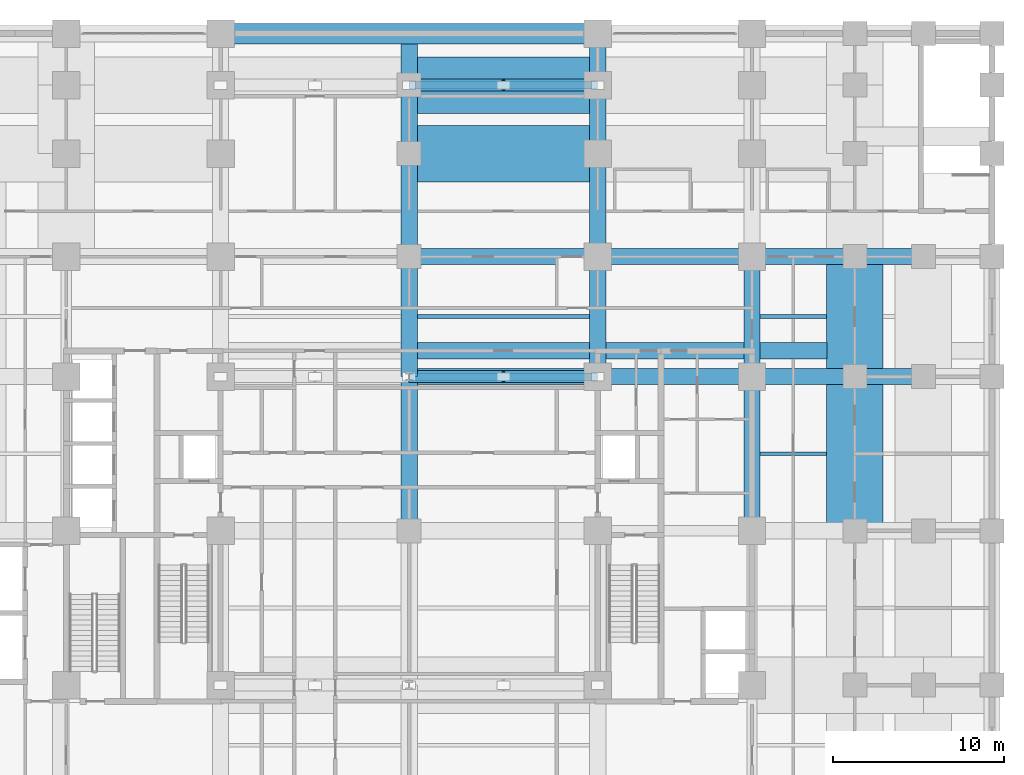
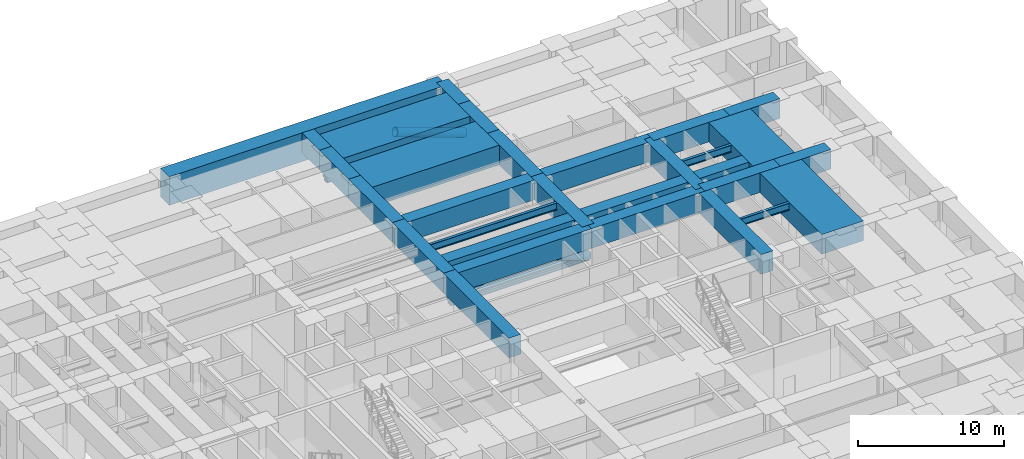
# One storey, part 4 of 22: 30 beams, 6 members.
"""IFC4 building model written with IfcOpenShell, lengths in metres."""

import ifcopenshell
import ifcopenshell.guid

model = None  # the IFC model being written
_history = None  # IfcOwnerHistory: only IFC2X3 demands one
_inside = {}  # id of a spatial element -> (the spatial element, [elements in it])
_under = {}  # id of a project, library or spatial element -> (it, [spatial elements below it])
_declared = {}  # id of a project -> (the project, [libraries it declares])
_typed = {}  # id of a type object -> (the type object, [elements of that type])
_made_of = {}  # id of a material, layer set ... -> (it, [elements and type objects made of it])


def new_model(schema):
    """Start an empty IFC model of exactly this schema.

    Asked for "IFC4X3", IfcOpenShell would pick the latest addendum, in which some entities
    have other attributes; the version numbers below select the first issue.
    IFC2X3 requires an IfcOwnerHistory on every rooted entity: one is made here for all.
    """
    global model, _history
    if schema == "IFC4X3":
        model = ifcopenshell.file(schema_version=(4, 3, 0, 0))
    else:
        model = ifcopenshell.file(schema=schema)
    _inside.clear()
    _under.clear()
    _declared.clear()
    _typed.clear()
    _made_of.clear()
    _history = None
    if model.schema == "IFC2X3":
        org = make("IfcOrganization", Name="unknown")
        user = make(
            "IfcPersonAndOrganization",
            ThePerson=make("IfcPerson", FamilyName="unknown"),
            TheOrganization=org,
        )
        app = make(
            "IfcApplication",
            ApplicationDeveloper=org,
            Version="unknown",
            ApplicationFullName="unknown",
            ApplicationIdentifier="unknown",
        )
        _history = make(
            "IfcOwnerHistory",
            OwningUser=user,
            OwningApplication=app,
            ChangeAction="ADDED",
            CreationDate=0,
        )
    return model


def make(cls, **values):
    """One entity of the class cls with the attributes given. An attribute that is None is left unset."""
    return model.create_entity(
        cls, **{name: value for name, value in values.items() if value is not None}
    )


def rooted(cls, **values):
    """An entity with a GlobalId (a new one), such as an element, a storey or a relation."""
    return make(cls, GlobalId=ifcopenshell.guid.new(), OwnerHistory=_history, **values)


def si_unit(unit_type, name, prefix=None):
    """IfcSIUnit, for example si_unit("LENGTHUNIT", "METRE", prefix="MILLI")."""
    return make("IfcSIUnit", UnitType=unit_type, Prefix=prefix, Name=name)


def assignment(units):
    """IfcUnitAssignment: the units of a project."""
    return None if units is None else make("IfcUnitAssignment", Units=units)


def point(xyz):
    """IfcCartesianPoint."""
    return None if xyz is None else make("IfcCartesianPoint", Coordinates=xyz)


def direction(xyz):
    """IfcDirection."""
    return None if xyz is None else make("IfcDirection", DirectionRatios=xyz)


def frame(location, z_axis=None, x_axis=None):
    """IfcAxis2Placement3D, a coordinate frame: its origin and axes. An axis left out is left unset."""
    return make(
        "IfcAxis2Placement3D",
        Location=point(location),
        Axis=direction(z_axis),
        RefDirection=direction(x_axis),
    )


def frame_2d(location, x_axis=None):
    """IfcAxis2Placement2D, a coordinate frame in the plane: its origin and x axis."""
    return make(
        "IfcAxis2Placement2D", Location=point(location), RefDirection=direction(x_axis)
    )


def origin():
    """The frame at (0, 0, 0) with its axes left unset."""
    return frame((0.0, 0.0, 0.0))


def origin_2d():
    """The frame at (0, 0) in the plane with its x axis left unset."""
    return frame_2d((0.0, 0.0))


def place(relative_to, where):
    """IfcLocalPlacement: puts the frame where relative to a parent placement (None: the world)."""
    return make(
        "IfcLocalPlacement", PlacementRelTo=relative_to, RelativePlacement=where
    )


def context(
    kind, dimensions, precision=None, world=None, true_north=None, identifier=None
):
    """IfcGeometricRepresentationContext, for example the 3D "Model" context."""
    return make(
        "IfcGeometricRepresentationContext",
        ContextIdentifier=identifier,
        ContextType=kind,
        CoordinateSpaceDimension=dimensions,
        Precision=precision,
        WorldCoordinateSystem=world,
        TrueNorth=true_north,
    )


def subcontext(parent, identifier, kind, view, scale=None):
    """IfcGeometricRepresentationSubContext, for example "Body" below "Model"."""
    return make(
        "IfcGeometricRepresentationSubContext",
        ContextIdentifier=identifier,
        ContextType=kind,
        ParentContext=parent,
        TargetScale=scale,
        TargetView=view,
    )


def project(units=None, contexts=None):
    """IfcProject with its units and contexts."""
    return rooted(
        "IfcProject",
        Name="project",
        RepresentationContexts=contexts,
        UnitsInContext=assignment(units),
    )


def spatial(cls, under=None, at=None, **own):
    """A site, building, storey or space (cls), placed at a placement, below another one or the project."""
    s = rooted(cls, ObjectPlacement=at, **own)
    if under is not None:
        _under.setdefault(under.id(), (under, []))[1].append(s)
    return s


def profile(cls, at=None, kind="AREA", **sizes):
    """A parametric profile (cls). Its sizes go by their IFC names, for example OverallWidth=200.0."""
    return make(cls, ProfileType=kind, Position=at, **sizes)


def rectangle(**sizes):
    """IfcRectangleProfileDef."""
    return profile("IfcRectangleProfileDef", **sizes)


def hollow_circle(**sizes):
    """IfcCircleHollowProfileDef."""
    return profile("IfcCircleHollowProfileDef", **sizes)


def i_section(**sizes):
    """IfcIShapeProfileDef."""
    return profile("IfcIShapeProfileDef", **sizes)


def extrude(swept, where, along, depth):
    """IfcExtrudedAreaSolid: the profile swept, set in the frame where, extruded along a direction by depth."""
    return make(
        "IfcExtrudedAreaSolid",
        SweptArea=swept,
        Position=where,
        ExtrudedDirection=direction(along),
        Depth=depth,
    )


def shape(context_of_items, identifier, shape_type, items):
    """IfcShapeRepresentation: the items that make up one representation, for example the "Body"."""
    return make(
        "IfcShapeRepresentation",
        ContextOfItems=context_of_items,
        RepresentationIdentifier=identifier,
        RepresentationType=shape_type,
        Items=items,
    )


def material(Name=None, Category=None):
    """IfcMaterial."""
    return make("IfcMaterial", Name=Name, Category=Category)


def material_profile(
    of_material, cross_section, Name=None, Category=None, Priority=None
):
    """IfcMaterialProfile: a cross section and its material."""
    return make(
        "IfcMaterialProfile",
        Name=Name,
        Material=of_material,
        Profile=cross_section,
        Priority=Priority,
        Category=Category,
    )


def profile_set(profiles, Name=None, composite=None):
    """IfcMaterialProfileSet."""
    return make(
        "IfcMaterialProfileSet",
        Name=Name,
        MaterialProfiles=profiles,
        CompositeProfile=composite,
    )


def made_of(thing, what):
    """Note that an element or type object is made of a material, layer set ...; save() writes the relation."""
    if what is not None:
        _made_of.setdefault(what.id(), (what, []))[1].append(thing)
    return thing


def type_object(cls, material=None, **own):
    """A type object (cls), such as IfcWallType, which elements share."""
    return made_of(rooted(cls, **own), material)


def element(
    cls,
    number,
    at=None,
    inside=None,
    cuts=None,
    type_object=None,
    material=None,
    context=None,
    identifier="Body",
    shape_type=None,
    held_by="IfcProductDefinitionShape",
    body=None,
    shapes=None,
    **own,
):
    """One element of the class cls, such as IfcWall. Its Tag is "e" and its number.

    at: its placement. inside: the storey or other place that contains it. cuts: it is an
    opening in that element (IfcRelVoidsElement). A single representation is given by context,
    identifier, shape_type and body (its items); several are given by shapes. held_by: the class
    of the entity that holds the representations. save() writes the other relations.
    """
    e = rooted(cls, Tag="e%d" % number, ObjectPlacement=at, **own)
    if body is not None:
        shapes = [shape(context, identifier, shape_type, body)]
    if shapes is not None:
        e.Representation = make(held_by, Representations=shapes)
    if inside is not None:
        _inside.setdefault(inside.id(), (inside, []))[1].append(e)
    if cuts is not None:
        rooted(
            "IfcRelVoidsElement", RelatingBuildingElement=cuts, RelatedOpeningElement=e
        )
    if type_object is not None:
        _typed.setdefault(type_object.id(), (type_object, []))[1].append(e)
    return made_of(e, material)


def aggregate(whole, parts):
    """IfcRelAggregates: a whole, such as a stair, and the parts it consists of."""
    return rooted("IfcRelAggregates", RelatingObject=whole, RelatedObjects=parts)


def save(model, path):
    """Write the relations noted so far, then the file.

    IfcRelAggregates (storeys below a building ...), IfcRelContainedInSpatialStructure (elements
    in a storey), IfcRelDefinesByType, IfcRelAssociatesMaterial and IfcRelDeclares: one each for
    every whole, place, type object, material and project.
    """
    for whole, parts in _under.values():
        aggregate(whole, parts)
    for where, things in _inside.values():
        rooted(
            "IfcRelContainedInSpatialStructure",
            RelatedElements=things,
            RelatingStructure=where,
        )
    for kind, things in _typed.values():
        rooted("IfcRelDefinesByType", RelatedObjects=things, RelatingType=kind)
    for what, things in _made_of.values():
        rooted("IfcRelAssociatesMaterial", RelatedObjects=things, RelatingMaterial=what)
    for by, libraries in _declared.values():
        rooted("IfcRelDeclares", RelatingContext=by, RelatedDefinitions=libraries)
    model.write(path)


model = new_model("IFC4")

# Units and contexts
model_context = context("Model", 3, precision=1e-05, world=origin(), true_north=direction((0.0, 1.0)))
body_context = subcontext(model_context, "Body", "Model", "MODEL_VIEW")
ifc_project = project(units=[si_unit("LENGTHUNIT", "METRE"), si_unit("AREAUNIT", "SQUARE_METRE"), si_unit("VOLUMEUNIT", "CUBIC_METRE"), si_unit("PLANEANGLEUNIT", "RADIAN"), si_unit("MASSUNIT", "GRAM", prefix="KILO")], contexts=[model_context])

# Site, building, storey
site_placement = place(None, origin())
site = spatial("IfcSite", under=ifc_project, at=site_placement, CompositionType="ELEMENT")
building_placement = place(site_placement, origin())
building = spatial("IfcBuilding", under=site, at=building_placement, Name="Zulmaris Gate Convention Tower", CompositionType="ELEMENT")
storey_placement = place(building_placement, frame((0.0, 0.0, 21.760009765625)))
storey = spatial("IfcBuildingStorey", under=building, at=storey_placement, Name="L04", CompositionType="ELEMENT", Elevation=21.760009765625)

# Beams
ifc_material_1 = material(Name="Concrete C80/95", Category="concrete")
ifc_material_profile_1 = material_profile(ifc_material_1, rectangle(XDim=0.949951171875, YDim=1.64990234375, at=origin_2d()), Name="RC TRANSFER 950x1650")
ifc_profile_set_1 = profile_set([ifc_material_profile_1], Name="Concrete C80/95")
beam_type_1 = type_object("IfcBeamType", Name="BM-XFER1650", PredefinedType="BEAM", material=ifc_profile_set_1)
beam_1_placement = place(storey_placement, frame((0.0, 0.0, 4.1650390625), z_axis=(0.0, 1.0, 0.0), x_axis=(-1.0, 0.0, 0.0)))
element("IfcBeam", 1, at=beam_1_placement, inside=storey, type_object=beam_type_1, Name="L04 Beam XFSPY-L04-+0.0-6", PredefinedType="BEAM", context=body_context, shape_type="SweptSolid", body=[
    extrude(rectangle(XDim=0.949951171875, YDim=1.64990234375, at=origin_2d()), origin(), (0.0, 0.0, 1.0), 9.0),
])
beam_2_placement = place(storey_placement, frame((0.0, 9.0, 4.1650390625), z_axis=(0.0, 1.0, 0.0), x_axis=(-1.0, 0.0, 0.0)))
element("IfcBeam", 2, at=beam_2_placement, inside=storey, type_object=beam_type_1, Name="L04 Beam XFSPY-L04-+0.0-7", PredefinedType="BEAM", context=body_context, shape_type="SweptSolid", body=[
    extrude(rectangle(XDim=0.949951171875, YDim=1.64990234375, at=origin_2d()), origin(), (0.0, 0.0, 1.0), 7.0),
])
beam_3_placement = place(storey_placement, frame((0.0, 16.0, 4.1650390625), z_axis=(0.0, 1.0, 0.0), x_axis=(-1.0, 0.0, 0.0)))
element("IfcBeam", 3, at=beam_3_placement, inside=storey, type_object=beam_type_1, Name="L04 Beam XFSPY-L04-+0.0-8", PredefinedType="BEAM", context=body_context, shape_type="SweptSolid", body=[
    extrude(rectangle(XDim=0.949951171875, YDim=1.64990234375, at=origin_2d()), origin(), (0.0, 0.0, 1.0), 6.0),
])
beam_4_placement = place(storey_placement, frame((0.0, 22.0, 4.1650390625), z_axis=(0.0, 1.0, 0.0), x_axis=(-1.0, 0.0, 0.0)))
element("IfcBeam", 4, at=beam_4_placement, inside=storey, type_object=beam_type_1, Name="L04 Beam XFSPY-L04-+0.0-9", PredefinedType="BEAM", context=body_context, shape_type="SweptSolid", body=[
    extrude(rectangle(XDim=0.949951171875, YDim=1.64990234375, at=origin_2d()), origin(), (0.0, 0.0, 1.0), 4.0),
])
beam_5_placement = place(storey_placement, frame((0.0, 26.0, 4.1650390625), z_axis=(0.0, 1.0, 0.0), x_axis=(-1.0, 0.0, 0.0)))
element("IfcBeam", 5, at=beam_5_placement, inside=storey, type_object=beam_type_1, Name="L04 Beam XFSPY-L04-+0.0-10", PredefinedType="BEAM", context=body_context, shape_type="SweptSolid", body=[
    extrude(rectangle(XDim=0.949951171875, YDim=1.64990234375, at=origin_2d()), origin(), (0.0, 0.0, 1.0), 2.412109375),
])
beam_6_placement = place(storey_placement, frame((11.0, 9.0, 4.1650390625), z_axis=(0.0, 1.0, 0.0), x_axis=(-1.0, 0.0, 0.0)))
element("IfcBeam", 6, at=beam_6_placement, inside=storey, type_object=beam_type_1, Name="L04 Beam XFSPY-L04-+11.0-7", PredefinedType="BEAM", context=body_context, shape_type="SweptSolid", body=[
    extrude(rectangle(XDim=0.949951171875, YDim=1.64990234375, at=origin_2d()), origin(), (0.0, 0.0, 1.0), 7.0),
])
beam_7_placement = place(storey_placement, frame((11.0, 16.0, 4.1650390625), z_axis=(0.0, 1.0, 0.0), x_axis=(-1.0, 0.0, 0.0)))
element("IfcBeam", 7, at=beam_7_placement, inside=storey, type_object=beam_type_1, Name="L04 Beam XFSPY-L04-+11.0-8", PredefinedType="BEAM", context=body_context, shape_type="SweptSolid", body=[
    extrude(rectangle(XDim=0.949951171875, YDim=1.64990234375, at=origin_2d()), origin(), (0.0, 0.0, 1.0), 6.0),
])
beam_8_placement = place(storey_placement, frame((11.0, 22.0, 4.1650390625), z_axis=(0.0, 1.0, 0.0), x_axis=(-1.0, 0.0, 0.0)))
element("IfcBeam", 8, at=beam_8_placement, inside=storey, type_object=beam_type_1, Name="L04 Beam XFSPY-L04-+11.0-9", PredefinedType="BEAM", context=body_context, shape_type="SweptSolid", body=[
    extrude(rectangle(XDim=0.949951171875, YDim=1.64990234375, at=origin_2d()), origin(), (0.0, 0.0, 1.0), 4.0),
])
beam_9_placement = place(storey_placement, frame((11.0, 26.0, 4.1650390625), z_axis=(0.0, 1.0, 0.0), x_axis=(-1.0, 0.0, 0.0)))
element("IfcBeam", 9, at=beam_9_placement, inside=storey, type_object=beam_type_1, Name="L04 Beam XFSPY-L04-+11.0-10", PredefinedType="BEAM", context=body_context, shape_type="SweptSolid", body=[
    extrude(rectangle(XDim=0.949951171875, YDim=1.64990234375, at=origin_2d()), origin(), (0.0, 0.0, 1.0), 3.0),
])
beam_10_placement = place(storey_placement, frame((20.0, 0.0, 4.1650390625), z_axis=(0.0, 1.0, 0.0), x_axis=(-1.0, 0.0, 0.0)))
element("IfcBeam", 10, at=beam_10_placement, inside=storey, type_object=beam_type_1, Name="L04 Beam XFSPY-L04-+20.0-6", PredefinedType="BEAM", context=body_context, shape_type="SweptSolid", body=[
    extrude(rectangle(XDim=0.949951171875, YDim=1.64990234375, at=origin_2d()), origin(), (0.0, 0.0, 1.0), 9.0),
])
beam_11_placement = place(storey_placement, frame((20.0, 9.0, 4.1650390625), z_axis=(0.0, 1.0, 0.0), x_axis=(-1.0, 0.0, 0.0)))
element("IfcBeam", 11, at=beam_11_placement, inside=storey, type_object=beam_type_1, Name="L04 Beam XFSPY-L04-+20.0-7", PredefinedType="BEAM", context=body_context, shape_type="SweptSolid", body=[
    extrude(rectangle(XDim=0.949951171875, YDim=1.64990234375, at=origin_2d()), origin(), (0.0, 0.0, 1.0), 7.0),
])
beam_12_placement = place(storey_placement, frame((0.0, 9.0, 4.1650390625), z_axis=(1.0, 0.0, 0.0), x_axis=(0.0, 1.0, 0.0)))
element("IfcBeam", 12, at=beam_12_placement, inside=storey, type_object=beam_type_1, Name="L04 Beam XFSPX-L04-+9.0-6", PredefinedType="BEAM", context=body_context, shape_type="SweptSolid", body=[
    extrude(rectangle(XDim=0.949951171875, YDim=1.64990234375, at=origin_2d()), origin(), (0.0, 0.0, 1.0), 11.0),
])
beam_13_placement = place(storey_placement, frame((11.0, 9.0, 4.1650390625), z_axis=(1.0, 0.0, 0.0), x_axis=(0.0, 1.0, 0.0)))
element("IfcBeam", 13, at=beam_13_placement, inside=storey, type_object=beam_type_1, Name="L04 Beam XFSPX-L04-+9.0-7", PredefinedType="BEAM", context=body_context, shape_type="SweptSolid", body=[
    extrude(rectangle(XDim=0.949951171875, YDim=1.64990234375, at=origin_2d()), origin(), (0.0, 0.0, 1.0), 9.0),
])
beam_14_placement = place(storey_placement, frame((20.0, 9.0, 4.1650390625), z_axis=(1.0, 0.0, 0.0), x_axis=(0.0, 1.0, 0.0)))
element("IfcBeam", 14, at=beam_14_placement, inside=storey, type_object=beam_type_1, Name="L04 Beam XFSPX-L04-+9.0-8", PredefinedType="BEAM", context=body_context, shape_type="SweptSolid", body=[
    extrude(rectangle(XDim=0.949951171875, YDim=1.64990234375, at=origin_2d()), origin(), (0.0, 0.0, 1.0), 6.0),
])
beam_15_placement = place(storey_placement, frame((26.0, 9.0, 4.1650390625), z_axis=(1.0, 0.0, 0.0), x_axis=(0.0, 1.0, 0.0)))
element("IfcBeam", 15, at=beam_15_placement, inside=storey, type_object=beam_type_1, Name="L04 Beam XFSPX-L04-+9.0-9", PredefinedType="BEAM", context=body_context, shape_type="SweptSolid", body=[
    extrude(rectangle(XDim=0.949951171875, YDim=1.64990234375, at=origin_2d()), origin(), (0.0, 0.0, 1.0), 4.0),
])
beam_16_placement = place(storey_placement, frame((0.0, 16.0, 4.1650390625), z_axis=(1.0, 0.0, 0.0), x_axis=(0.0, 1.0, 0.0)))
element("IfcBeam", 16, at=beam_16_placement, inside=storey, type_object=beam_type_1, Name="L04 Beam XFSPX-L04-+16.0-6", PredefinedType="BEAM", context=body_context, shape_type="SweptSolid", body=[
    extrude(rectangle(XDim=0.949951171875, YDim=1.64990234375, at=origin_2d()), origin(), (0.0, 0.0, 1.0), 11.0),
])
beam_17_placement = place(storey_placement, frame((11.0, 16.0, 4.1650390625), z_axis=(1.0, 0.0, 0.0), x_axis=(0.0, 1.0, 0.0)))
element("IfcBeam", 17, at=beam_17_placement, inside=storey, type_object=beam_type_1, Name="L04 Beam XFSPX-L04-+16.0-7", PredefinedType="BEAM", context=body_context, shape_type="SweptSolid", body=[
    extrude(rectangle(XDim=0.949951171875, YDim=1.64990234375, at=origin_2d()), origin(), (0.0, 0.0, 1.0), 9.0),
])
beam_18_placement = place(storey_placement, frame((20.0, 16.0, 4.1650390625), z_axis=(1.0, 0.0, 0.0), x_axis=(0.0, 1.0, 0.0)))
element("IfcBeam", 18, at=beam_18_placement, inside=storey, type_object=beam_type_1, Name="L04 Beam XFSPX-L04-+16.0-8", PredefinedType="BEAM", context=body_context, shape_type="SweptSolid", body=[
    extrude(rectangle(XDim=0.949951171875, YDim=1.64990234375, at=origin_2d()), origin(), (0.0, 0.0, 1.0), 6.0),
])
beam_19_placement = place(storey_placement, frame((26.0, 16.0, 4.1650390625), z_axis=(1.0, 0.0, 0.0), x_axis=(0.0, 1.0, 0.0)))
element("IfcBeam", 19, at=beam_19_placement, inside=storey, type_object=beam_type_1, Name="L04 Beam XFSPX-L04-+16.0-9", PredefinedType="BEAM", context=body_context, shape_type="SweptSolid", body=[
    extrude(rectangle(XDim=0.949951171875, YDim=1.64990234375, at=origin_2d()), origin(), (0.0, 0.0, 1.0), 4.0),
])
beam_20_placement = place(storey_placement, frame((0.462890625, 10.5, 4.1650390625), z_axis=(1.0, 0.0, 0.0), x_axis=(0.0, 1.0, 0.0)))
element("IfcBeam", 20, at=beam_20_placement, inside=storey, type_object=beam_type_1, Name="L04 Beam XFERX-L04-+10.50-5", PredefinedType="BEAM", context=body_context, shape_type="SweptSolid", body=[
    extrude(rectangle(XDim=0.949951171875, YDim=1.64990234375, at=origin_2d()), origin(), (0.0, 0.0, 1.0), 10.07421875),
])
beam_21_placement = place(storey_placement, frame((11.462890625, 10.5, 4.1650390625), z_axis=(1.0, 0.0, 0.0), x_axis=(0.0, 1.0, 0.0)))
element("IfcBeam", 21, at=beam_21_placement, inside=storey, type_object=beam_type_1, Name="L04 Beam XFERX-L04-+10.50-6", PredefinedType="BEAM", context=body_context, shape_type="SweptSolid", body=[
    extrude(rectangle(XDim=0.949951171875, YDim=1.64990234375, at=origin_2d()), origin(), (0.0, 0.0, 1.0), 8.07421875),
])
beam_22_placement = place(storey_placement, frame((20.462890625, 10.5, 4.1650390625), z_axis=(1.0, 0.0, 0.0), x_axis=(0.0, 1.0, 0.0)))
element("IfcBeam", 22, at=beam_22_placement, inside=storey, type_object=beam_type_1, Name="L04 Beam XFERX-L04-+10.50-7", PredefinedType="BEAM", context=body_context, shape_type="SweptSolid", body=[
    extrude(rectangle(XDim=0.949951171875, YDim=1.64990234375, at=origin_2d()), origin(), (0.0, 0.0, 1.0), 3.899169921875),
])
ifc_material_profile_2 = material_profile(ifc_material_1, rectangle(XDim=1.199951171875, YDim=2.39990234375, at=origin_2d()), Name="RC TRANSFER 1200x2400")
ifc_profile_set_2 = profile_set([ifc_material_profile_2], Name="Concrete C80/95")
beam_type_2 = type_object("IfcBeamType", Name="BM-XFER2400", PredefinedType="BEAM", material=ifc_profile_set_2)
beam_23_placement = place(storey_placement, frame((-11.0, 29.0, 3.7900390625), z_axis=(1.0, 0.0, 0.0), x_axis=(0.0, 1.0, 0.0)))
element("IfcBeam", 23, at=beam_23_placement, inside=storey, type_object=beam_type_2, Name="L04 Beam XFRNGX-L04-+29.0-5", PredefinedType="BEAM", context=body_context, shape_type="SweptSolid", body=[
    extrude(rectangle(XDim=1.199951171875, YDim=2.39990234375, at=origin_2d()), origin(), (0.0, 0.0, 1.0), 22.0),
])
ifc_material_profile_3 = material_profile(ifc_material_1, rectangle(XDim=3.300048828125, YDim=1.64990234375, at=origin_2d()), Name="RC TRANSFER 3300x1650")
ifc_profile_set_3 = profile_set([ifc_material_profile_3], Name="Concrete C80/95")
beam_type_3 = type_object("IfcBeamType", Name="BM-XFERCAP", PredefinedType="BEAM", material=ifc_profile_set_3)
beam_24_placement = place(storey_placement, frame((26.0, 0.0, 4.1650390625), z_axis=(0.0, 1.0, 0.0), x_axis=(-1.0, 0.0, 0.0)))
element("IfcBeam", 24, at=beam_24_placement, inside=storey, type_object=beam_type_3, Name="L04 Beam XFSPY-L04-+26.0-6", PredefinedType="BEAM", context=body_context, shape_type="SweptSolid", body=[
    extrude(rectangle(XDim=3.300048828125, YDim=1.64990234375, at=origin_2d()), origin(), (0.0, 0.0, 1.0), 9.0),
])
beam_25_placement = place(storey_placement, frame((26.0, 9.0, 4.1650390625), z_axis=(0.0, 1.0, 0.0), x_axis=(-1.0, 0.0, 0.0)))
element("IfcBeam", 25, at=beam_25_placement, inside=storey, type_object=beam_type_3, Name="L04 Beam XFSPY-L04-+26.0-7", PredefinedType="BEAM", context=body_context, shape_type="SweptSolid", body=[
    extrude(rectangle(XDim=3.300048828125, YDim=1.64990234375, at=origin_2d()), origin(), (0.0, 0.0, 1.0), 7.0),
])
for number, where, z_axis, x_axis, name in (
    (26, (0.0, 22.0, 4.1650390625), (1.0, 0.0, 0.0), (0.0, 1.0, 0.0), "L04 Beam XFSPX-L04-+22.0-6"),
    (27, (0.0, 26.0, 4.1650390625), (1.0, 0.0, 0.0), (0.0, 1.0, 0.0), "L04 Beam XFSPX-L04-+26.0-6"),
):
    element("IfcBeam", number, at=place(storey_placement, frame(where, z_axis=z_axis, x_axis=x_axis)), inside=storey, type_object=beam_type_3, Name=name, PredefinedType="BEAM", context=body_context, shape_type="SweptSolid", body=[
        extrude(rectangle(XDim=3.300048828125, YDim=1.64990234375, at=origin_2d()), origin(), (0.0, 0.0, 1.0), 11.0),
    ])

# Members
ifc_material_2 = material(Name="Steel S460", Category="steel")
ifc_material_profile_4 = material_profile(ifc_material_2, hollow_circle(Radius=0.35546875, WallThickness=0.035888671875, at=origin_2d()), Name="CHS 711x36")
ifc_profile_set_4 = profile_set([ifc_material_profile_4], Name="Steel S460")
member_type_1 = type_object("IfcMemberType", Name="BR-CHS711", PredefinedType="BRACE", material=ifc_profile_set_4)
for number, where, z_axis, x_axis, name in (
    (28, (0.0, 9.0, 2.449951171875), (0.940341848935, 0.0, 0.340231108428), (0.0, 1.0, 0.0), "L04 Pishtaq Transfer Truss Diagonal +9-D3"),
    (29, (5.5, 9.0, 4.43994140625), (0.940341848935, 0.0, -0.340231108428), (0.0, 1.0, 0.0), "L04 Pishtaq Transfer Truss Diagonal +9-D4"),
    (30, (0.0, 26.0, 2.449951171875), (0.940341848935, 0.0, 0.340231108428), (0.0, 1.0, 0.0), "L04 Pishtaq Transfer Truss Diagonal +26-D3"),
    (31, (5.5, 26.0, 4.43994140625), (0.940341848935, 0.0, -0.340231108428), (0.0, 1.0, 0.0), "L04 Pishtaq Transfer Truss Diagonal +26-D4"),
):
    element("IfcMember", number, at=place(storey_placement, frame(where, z_axis=z_axis, x_axis=x_axis)), inside=storey, type_object=member_type_1, Name=name, PredefinedType="BRACE", context=body_context, shape_type="SweptSolid", body=[
        extrude(hollow_circle(Radius=0.35546875, WallThickness=0.035888671875, at=origin_2d()), origin(), (0.0, 0.0, 1.0), 5.848876953125),
    ])
ifc_material_profile_5 = material_profile(ifc_material_2, i_section(OverallWidth=0.43701171875, OverallDepth=0.513916015625, WebThickness=0.060546875, FlangeThickness=0.096923828125, FilletRadius=0.014892578125, at=origin_2d()), Name="HD 400x818")
ifc_profile_set_5 = profile_set([ifc_material_profile_5], Name="Steel S460")
member_type_2 = type_object("IfcMemberType", Name="CH-HD818", PredefinedType="CHORD", material=ifc_profile_set_5)
for number, where, z_axis, x_axis, name in (
    (32, (0.0, 9.0, 2.449951171875), (1.0, 0.0, 0.0), (0.0, 1.0, 0.0), "L04 Pishtaq Transfer Truss Bottom Chord +9-2"),
    (33, (0.0, 26.0, 2.449951171875), (1.0, 0.0, 0.0), (0.0, 1.0, 0.0), "L04 Pishtaq Transfer Truss Bottom Chord +26-2"),
):
    element("IfcMember", number, at=place(storey_placement, frame(where, z_axis=z_axis, x_axis=x_axis)), inside=storey, type_object=member_type_2, Name=name, PredefinedType="CHORD", context=body_context, shape_type="SweptSolid", body=[
        extrude(i_section(OverallWidth=0.43701171875, OverallDepth=0.513916015625, WebThickness=0.060546875, FlangeThickness=0.096923828125, FilletRadius=0.014892578125, at=origin_2d()), origin(), (0.0, 0.0, 1.0), 11.0),
    ])

# Beams
ifc_material_3 = material(Name="Steel S355", Category="steel")
ifc_material_profile_6 = material_profile(ifc_material_3, i_section(OverallWidth=0.219970703125, OverallDepth=0.60009765625, WebThickness=0.011962890625, FlangeThickness=0.01904296875, FilletRadius=0.02392578125, at=origin_2d()), Name="IPE 600")
ifc_profile_set_6 = profile_set([ifc_material_profile_6], Name="Steel S355")
beam_type_4 = type_object("IfcBeamType", Name="JT-IPE600", PredefinedType="JOIST", material=ifc_profile_set_6)
beam_26_placement = place(storey_placement, frame((0.47509765625, 12.5, 4.68798828125), z_axis=(1.0, 0.0, 0.0), x_axis=(0.0, 1.0, 0.0)))
element("IfcBeam", 34, at=beam_26_placement, inside=storey, type_object=beam_type_4, Name="L04 Joist JT-L04-+0_+11-+12.5", PredefinedType="JOIST", context=body_context, shape_type="SweptSolid", body=[
    extrude(i_section(OverallWidth=0.219970703125, OverallDepth=0.60009765625, WebThickness=0.011962890625, FlangeThickness=0.01904296875, FilletRadius=0.02392578125, at=origin_2d()), origin(), (0.0, 0.0, 1.0), 10.0498046875),
])
for number, where, z_axis, x_axis, name in (
    (35, (20.47509765625, 4.5, 4.68798828125), (1.0, 0.0, 0.0), (0.0, 1.0, 0.0), "L04 Joist JT-L04-+20_+26-+4.5"),
    (36, (20.47509765625, 12.5, 4.68798828125), (1.0, 0.0, 0.0), (0.0, 1.0, 0.0), "L04 Joist JT-L04-+20_+26-+12.5"),
):
    element("IfcBeam", number, at=place(storey_placement, frame(where, z_axis=z_axis, x_axis=x_axis)), inside=storey, type_object=beam_type_4, Name=name, PredefinedType="JOIST", context=body_context, shape_type="SweptSolid", body=[
        extrude(i_section(OverallWidth=0.219970703125, OverallDepth=0.60009765625, WebThickness=0.011962890625, FlangeThickness=0.01904296875, FilletRadius=0.02392578125, at=origin_2d()), origin(), (0.0, 0.0, 1.0), 3.875),
    ])

save(model, "model.ifc")
